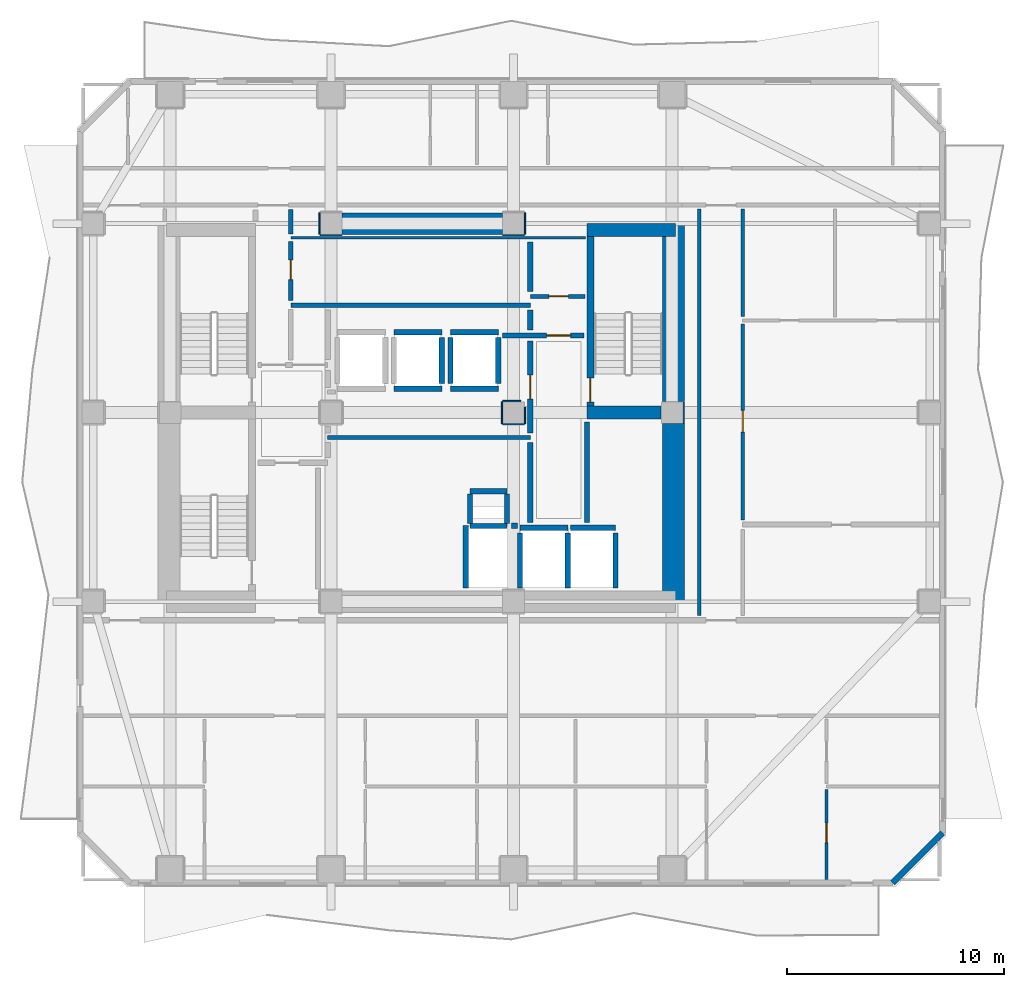
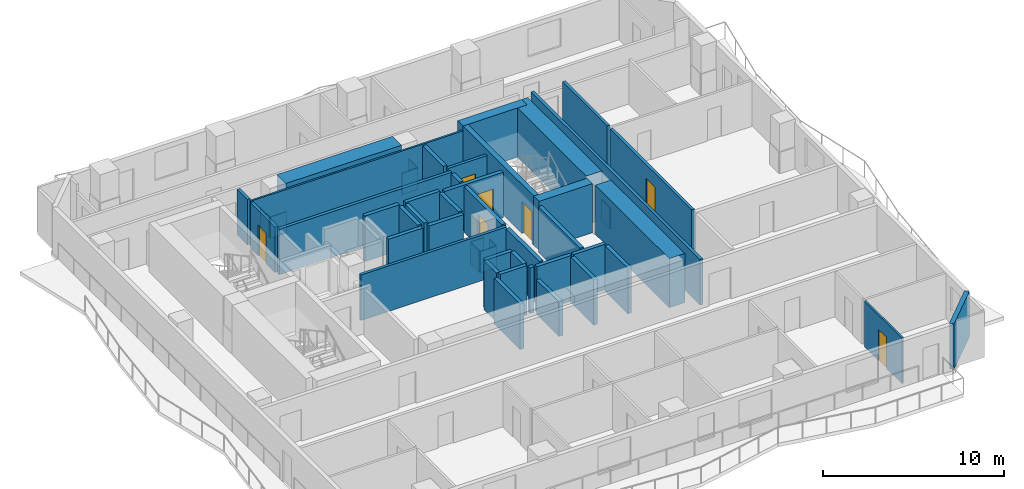
# One storey, part 4 of 9: 50 walls, 7 doors, 7 openings.
"""IFC4 building model written with IfcOpenShell, lengths in metres."""

from ifc_helpers import new_model, si_unit, direction, frame, frame_2d, origin, place, context, subcontext, project, spatial, rectangle, extrude, material, layer, layer_set, type_object, element, fill, save


model = new_model("IFC4")

# Units and contexts
model_context = context("Model", 3, precision=1e-05, world=origin(), true_north=direction((0.0, 1.0)))
body_context = subcontext(model_context, "Body", "Model", "MODEL_VIEW")
ifc_project = project(units=[si_unit("LENGTHUNIT", "METRE"), si_unit("AREAUNIT", "SQUARE_METRE"), si_unit("VOLUMEUNIT", "CUBIC_METRE"), si_unit("PLANEANGLEUNIT", "RADIAN"), si_unit("MASSUNIT", "GRAM", prefix="KILO")], contexts=[model_context])

# Site, building, storey
site_placement = place(None, origin())
site = spatial("IfcSite", under=ifc_project, at=site_placement, CompositionType="ELEMENT")
building_placement = place(site_placement, origin())
building = spatial("IfcBuilding", under=site, at=building_placement, Name="Solanera Arch Residences", CompositionType="ELEMENT")
storey_placement = place(building_placement, frame((0.0, 0.0, 132.639892578125)))
storey = spatial("IfcBuildingStorey", under=building, at=storey_placement, Name="L38", CompositionType="ELEMENT", Elevation=132.639892578125)

# Walls
ifc_material_1 = material(Name="Fire-Rated Gypsum Stud Partition", Category="gypsum")
ifc_layer_1 = layer(ifc_material_1, 0.06005859375)
ifc_layer_set_1 = layer_set([ifc_layer_1], Name="Fire-Rated Gypsum Stud Partition")
wall_type_1 = type_object("IfcWallType", Name="Column Acoustic Furring Wall 60", PredefinedType="PARTITIONING", material=ifc_layer_set_1)
for number, where, z_axis, x_axis, name in (
    (1, (20.300048828125, 38.867919921875, 0.0), (0.0, 0.0, 1.0), (1.0, 0.0, 0.0), "L38 Column Furring 3S"),
    (2, (20.26806640625, 38.89990234375, 0.0), (0.0, 0.0, 1.0), (0.0, 1.0, 0.0), "L38 Column Furring 3W"),
    (3, (28.699951171875, 38.867919921875, 0.0), (0.0, 0.0, 1.0), (1.0, 0.0, 0.0), "L38 Column Furring 4S"),
    (4, (29.73193359375, 38.89990234375, 0.0), (0.0, 0.0, 1.0), (0.0, 1.0, 0.0), "L38 Column Furring 4E"),
):
    element("IfcWall", number, at=place(storey_placement, frame(where, z_axis=z_axis, x_axis=x_axis)), inside=storey, type_object=wall_type_1, Name=name, PredefinedType="PARTITIONING", context=body_context, shape_type="SweptSolid", body=[
        extrude(rectangle(XDim=1.0, YDim=0.06005859375, at=frame_2d((0.5, 0.0))), origin(), (0.0, 0.0, 1.0), 1.4501953125),
    ])
wall_1_placement = place(storey_placement, frame((37.031982421875, 30.2099609375, 0.0), z_axis=(0.0, 0.0, 1.0), x_axis=(0.0, 1.0, 0.0)))
element("IfcWall", 5, at=wall_1_placement, inside=storey, type_object=wall_type_1, Name="L38 Column Furring 6E", PredefinedType="PARTITIONING", context=body_context, shape_type="SweptSolid", body=[
    extrude(rectangle(XDim=0.97998046875, YDim=0.06005859375, at=frame_2d((0.489990234375, 0.0))), origin(), (0.0, 0.0, 1.0), 1.4501953125),
])
wall_2_placement = place(storey_placement, frame((28.699951171875, 30.16796875, 0.0), z_axis=(0.0, 0.0, 1.0), x_axis=(1.0, 0.0, 0.0)))
element("IfcWall", 6, at=wall_2_placement, inside=storey, type_object=wall_type_1, Name="L38 Column Furring 8S", PredefinedType="PARTITIONING", context=body_context, shape_type="SweptSolid", body=[
    extrude(rectangle(XDim=1.0, YDim=0.06005859375, at=frame_2d((0.5, 0.0))), origin(), (0.0, 0.0, 1.0), 1.4501953125),
])
wall_3_placement = place(storey_placement, frame((28.699951171875, 31.23193359375, 0.0), z_axis=(0.0, 0.0, 1.0), x_axis=(1.0, 0.0, 0.0)))
element("IfcWall", 7, at=wall_3_placement, inside=storey, type_object=wall_type_1, Name="L38 Column Furring 8N", PredefinedType="PARTITIONING", context=body_context, shape_type="SweptSolid", body=[
    extrude(rectangle(XDim=0.8349609375, YDim=0.06005859375, at=frame_2d((0.41748046875, 0.0))), origin(), (0.0, 0.0, 1.0), 1.4501953125),
])
wall_4_placement = place(storey_placement, frame((28.66796875, 30.199951171875, 0.0), z_axis=(0.0, 0.0, 1.0), x_axis=(0.0, 1.0, 0.0)))
element("IfcWall", 8, at=wall_4_placement, inside=storey, type_object=wall_type_1, Name="L38 Column Furring 8W", PredefinedType="PARTITIONING", context=body_context, shape_type="SweptSolid", body=[
    extrude(rectangle(XDim=1.0, YDim=0.06005859375, at=frame_2d((0.5, 0.0))), origin(), (0.0, 0.0, 1.0), 1.4501953125),
])
wall_5_placement = place(storey_placement, frame((29.73193359375, 30.199951171875, 0.0), z_axis=(0.0, 0.0, 1.0), x_axis=(0.0, 1.0, 0.0)))
element("IfcWall", 9, at=wall_5_placement, inside=storey, type_object=wall_type_1, Name="L38 Column Furring 8E", PredefinedType="PARTITIONING", context=body_context, shape_type="SweptSolid", body=[
    extrude(rectangle(XDim=0.7470703125, YDim=0.06005859375, at=frame_2d((0.37353515625, 0.0))), origin(), (0.0, 0.0, 1.0), 1.4501953125),
])
ifc_material_2 = material(Name="Concrete C55/67 (f'c = 60 MPa)", Category="concrete")
ifc_layer_2 = layer(ifc_material_2, 1.0)
ifc_layer_set_2 = layer_set([ifc_layer_2], Name="Concrete C55/67 (f'c = 60 MPa)")
wall_type_2 = type_object("IfcWallType", Name="Core Shear Wall CW-1000", PredefinedType="SHEAR", material=ifc_layer_set_2)
wall_6_placement = place(storey_placement, frame((36.56005859375, 22.0, 0.0), z_axis=(0.0, 0.0, 1.0), x_axis=(0.0, 1.0, 0.0)))
element("IfcWall", 10, at=wall_6_placement, inside=storey, type_object=wall_type_2, Name="L38 East Core South Shear Wall", PredefinedType="SHEAR", context=body_context, shape_type="SweptSolid", body=[
    extrude(rectangle(XDim=8.195068359375, YDim=1.0, at=frame_2d((4.09765625, 0.0))), origin(), (0.0, 0.0, 1.0), 3.320068359375),
])
wall_7_placement = place(storey_placement, frame((36.56005859375, 31.205078125, 0.0), z_axis=(0.0, 0.0, 1.0), x_axis=(0.0, 1.0, 0.0)))
element("IfcWall", 11, at=wall_7_placement, inside=storey, type_object=wall_type_2, Name="L38 East Core North Shear Wall", PredefinedType="SHEAR", context=body_context, shape_type="SweptSolid", body=[
    extrude(rectangle(XDim=8.19482421875, YDim=1.0, at=frame_2d((4.097412109375, 0.0))), origin(), (0.0, 0.0, 1.0), 3.320068359375),
])
wall_8_placement = place(storey_placement, frame((21.304931640625, 39.39990234375, 0.0), z_axis=(0.0, 0.0, 1.0), x_axis=(1.0, 0.0, 0.0)))
element("IfcWall", 12, at=wall_8_placement, inside=storey, type_object=wall_type_2, Name="L38 Central North Core Shear Wall", PredefinedType="SHEAR", context=body_context, shape_type="SweptSolid", body=[
    extrude(rectangle(XDim=7.39013671875, YDim=1.0, at=frame_2d((3.695068359375, 0.0))), origin(), (0.0, 0.0, 1.0), 3.320068359375),
])

# Wall, opening, door
ifc_material_3 = material(Name="Concrete C40/50 (f'c = 45 MPa)", Category="concrete")
ifc_layer_3 = layer(ifc_material_3, 0.320068359375)
ifc_layer_set_3 = layer_set([ifc_layer_3], Name="Concrete C40/50 (f'c = 45 MPa)")
wall_type_3 = type_object("IfcWallType", Name="Core Shear Wall CW-320", PredefinedType="SHEAR", material=ifc_layer_set_3)
wall_9_placement = place(storey_placement, frame((32.739990234375, 31.0, 0.0), z_axis=(0.0, 0.0, 1.0), x_axis=(0.0, 1.0, 0.0)))
wall_9 = element("IfcWall", 13, at=wall_9_placement, inside=storey, type_object=wall_type_3, Name="L38 Stair ST-T2 West Shear Wall", PredefinedType="SHEAR", context=body_context, shape_type="SweptSolid", body=[
    extrude(rectangle(XDim=7.800048828125, YDim=0.320068359375, at=frame_2d((3.89990234375, 0.0))), origin(), (0.0, 0.0, 1.0), 3.320068359375),
])
opening_1_placement = place(wall_9_placement, frame((0.18994140625, 0.0, 0.0)))
opening_1 = element("IfcOpeningElement", 14, at=opening_1_placement, cuts=wall_9, Name="Opening DF-01", PredefinedType="OPENING", context=body_context, shape_type="SweptSolid", body=[
    extrude(rectangle(XDim=1.10009765625, YDim=2.14990234375, at=frame_2d((0.550048828125, 1.074951171875))), frame((0.0, 0.169921875, 0.0), z_axis=(0.0, -1.0, 0.0), x_axis=(1.0, 0.0, 0.0)), (0.0, 0.0, 1.0), 0.3401),
])
ifc_material_4 = material(Name="Fire-Rated Architectural Hardwood", Category="wood")
door_type_1 = type_object("IfcDoorType", Name="Stair Exit Fire Door DF-01", OperationType="NOTDEFINED", PredefinedType="DOOR", material=ifc_material_4)
door_1_placement = place(opening_1_placement, origin())
door_1 = element("IfcDoor", 15, at=door_1_placement, inside=storey, type_object=door_type_1, Name="DR-L38-STAIR-ST-T2", OperationType="SINGLE_SWING_LEFT", OverallHeight=2.14990234375, OverallWidth=1.10009765625, PredefinedType="DOOR", context=body_context, shape_type="SweptSolid", body=[
    extrude(rectangle(XDim=1.10009765625, YDim=2.14990234375, at=frame_2d((0.550048828125, 1.074951171875))), frame((0.0, 0.02490234375, 0.0), z_axis=(0.0, -1.0, 0.0), x_axis=(1.0, 0.0, 0.0)), (0.0, 0.0, 1.0), 0.050048828125),
])
fill(opening_1, door_1)

# Walls
ifc_material_5 = material(Name="Concrete C40/50 (f'c = 45 MPa)", Category="concrete")
ifc_layer_4 = layer(ifc_material_5, 0.60009765625)
ifc_layer_set_4 = layer_set([ifc_layer_4], Name="Concrete C40/50 (f'c = 45 MPa)")
wall_type_4 = type_object("IfcWallType", Name="Core Shear Wall CW-600", PredefinedType="SHEAR", material=ifc_layer_set_4)
wall_10_placement = place(storey_placement, frame((32.580078125, 39.10009765625, 0.0), z_axis=(0.0, 0.0, 1.0), x_axis=(1.0, 0.0, 0.0)))
element("IfcWall", 16, at=wall_10_placement, inside=storey, type_object=wall_type_4, Name="L38 North-East Core Shear Wall", PredefinedType="SHEAR", context=body_context, shape_type="SweptSolid", body=[
    extrude(rectangle(XDim=4.079833984375, YDim=0.60009765625, at=frame_2d((2.0400390625, 0.0))), origin(), (0.0, 0.0, 1.0), 3.320068359375),
])
wall_11_placement = place(storey_placement, frame((32.580078125, 30.699951171875, 0.0), z_axis=(0.0, 0.0, 1.0), x_axis=(1.0, 0.0, 0.0)))
element("IfcWall", 17, at=wall_11_placement, inside=storey, type_object=wall_type_4, Name="L38 East Stair Far-Landing Shear Wall", PredefinedType="SHEAR", context=body_context, shape_type="SweptSolid", body=[
    extrude(rectangle(XDim=3.4150390625, YDim=0.60009765625, at=frame_2d((1.70751953125, 0.0))), origin(), (0.0, 0.0, 1.0), 3.320068359375),
])
ifc_material_6 = material(Name="Autoclaved Aerated Concrete Blockwork", Category="masonry")
ifc_layer_5 = layer(ifc_material_6, 0.179931640625)
ifc_layer_set_5 = layer_set([ifc_layer_5], Name="Autoclaved Aerated Concrete Blockwork")
wall_type_5 = type_object("IfcWallType", Name="Corridor Fire Partition 180", PredefinedType="PARTITIONING", material=ifc_layer_set_5)
wall_12_placement = place(storey_placement, frame((20.64990234375, 29.550048828125, 0.0), z_axis=(0.0, 0.0, 1.0), x_axis=(1.0, 0.0, 0.0)))
element("IfcWall", 18, at=wall_12_placement, inside=storey, type_object=wall_type_5, Name="L38 Interior Partition H9", PredefinedType="PARTITIONING", context=body_context, shape_type="SweptSolid", body=[
    extrude(rectangle(XDim=9.3251953125, YDim=0.179931640625, at=frame_2d((4.66259765625, 0.0))), origin(), (0.0, 0.0, 1.0), 3.080078125),
])

# Wall, opening, door
wall_13_placement = place(storey_placement, frame((29.97509765625, 36.050048828125, 0.0), z_axis=(0.0, 0.0, 1.0), x_axis=(1.0, 0.0, 0.0)))
wall_13 = element("IfcWall", 19, at=wall_13_placement, inside=storey, type_object=wall_type_5, Name="L38 Interior Partition H11", PredefinedType="PARTITIONING", context=body_context, shape_type="SweptSolid", body=[
    extrude(rectangle(XDim=2.5048828125, YDim=0.179931640625, at=frame_2d((1.25244140625, 0.0))), origin(), (0.0, 0.0, 1.0), 3.080078125),
])
opening_2_placement = place(wall_13_placement, frame((0.85205078125, 0.0, 0.0)))
opening_2 = element("IfcOpeningElement", 20, at=opening_2_placement, cuts=wall_13, Name="Opening DI-02", PredefinedType="OPENING", context=body_context, shape_type="SweptSolid", body=[
    extrude(rectangle(XDim=0.89990234375, YDim=2.10009765625, at=frame_2d((0.449951171875, 1.050048828125))), frame((0.0, 0.10009765625, 0.0), z_axis=(0.0, -1.0, 0.0), x_axis=(1.0, 0.0, 0.0)), (0.0, 0.0, 1.0), 0.1999),
])
ifc_material_7 = material(Name="Fire-Rated Architectural Hardwood", Category="wood")
door_type_2 = type_object("IfcDoorType", Name="Suite Room Swing Door DI-02", OperationType="NOTDEFINED", PredefinedType="DOOR", material=ifc_material_7)
door_2_placement = place(opening_2_placement, origin())
door_2 = element("IfcDoor", 21, at=door_2_placement, inside=storey, type_object=door_type_2, Name="DR-L38-IN-015", OperationType="SINGLE_SWING_RIGHT", OverallHeight=2.10009765625, OverallWidth=0.89990234375, PredefinedType="DOOR", context=body_context, shape_type="SweptSolid", body=[
    extrude(rectangle(XDim=0.89990234375, YDim=2.10009765625, at=frame_2d((0.449951171875, 1.050048828125))), frame((0.0, 0.02490234375, 0.0), z_axis=(0.0, -1.0, 0.0), x_axis=(1.0, 0.0, 0.0)), (0.0, 0.0, 1.0), 0.050048828125),
])
fill(opening_2, door_2)

# Wall
wall_14_placement = place(storey_placement, frame((37.75, 21.367919921875, 0.0), z_axis=(0.0, 0.0, 1.0), x_axis=(0.0, 1.0, 0.0)))
element("IfcWall", 22, at=wall_14_placement, inside=storey, type_object=wall_type_5, Name="L38 Interior Partition V10", PredefinedType="PARTITIONING", context=body_context, shape_type="SweptSolid", body=[
    extrude(rectangle(XDim=18.694091796875, YDim=0.179931640625, at=frame_2d((9.34716796875, 0.0))), origin(), (0.0, 0.0, 1.0), 3.080078125),
])

# Wall, opening, door
wall_15_placement = place(storey_placement, frame((39.75, 25.76806640625, 0.0), z_axis=(0.0, 0.0, 1.0), x_axis=(0.0, 1.0, 0.0)))
wall_15 = element("IfcWall", 23, at=wall_15_placement, inside=storey, type_object=wall_type_5, Name="L38 Interior Partition V11 2", PredefinedType="PARTITIONING", context=body_context, shape_type="SweptSolid", body=[
    extrude(rectangle(XDim=9.013916015625, YDim=0.179931640625, at=frame_2d((4.5068359375, 0.0))), origin(), (0.0, 0.0, 1.0), 3.080078125),
])
opening_3_placement = place(wall_15_placement, frame((4.041015625, 0.0, 0.0)))
opening_3 = element("IfcOpeningElement", 24, at=opening_3_placement, cuts=wall_15, Name="Opening DI-01", PredefinedType="OPENING", context=body_context, shape_type="SweptSolid", body=[
    extrude(rectangle(XDim=1.0, YDim=2.14990234375, at=frame_2d((0.5, 1.074951171875))), frame((0.0, 0.10009765625, 0.0), z_axis=(0.0, -1.0, 0.0), x_axis=(1.0, 0.0, 0.0)), (0.0, 0.0, 1.0), 0.1999),
])
ifc_material_8 = material(Name="Fire-Rated Architectural Hardwood", Category="wood")
door_type_3 = type_object("IfcDoorType", Name="Unit Entrance Fire Door DI-01", OperationType="NOTDEFINED", PredefinedType="DOOR", material=ifc_material_8)
door_3_placement = place(opening_3_placement, origin())
door_3 = element("IfcDoor", 25, at=door_3_placement, inside=storey, type_object=door_type_3, Name="DR-L38-IN-035", OperationType="SINGLE_SWING_RIGHT", OverallHeight=2.14990234375, OverallWidth=1.0, PredefinedType="DOOR", context=body_context, shape_type="SweptSolid", body=[
    extrude(rectangle(XDim=1.0, YDim=2.14990234375, at=frame_2d((0.5, 1.074951171875))), frame((0.0, 0.02490234375, 0.0), z_axis=(0.0, -1.0, 0.0), x_axis=(1.0, 0.0, 0.0)), (0.0, 0.0, 1.0), 0.050048828125),
])
fill(opening_3, door_3)

# Walls
wall_16_placement = place(storey_placement, frame((39.75, 35.117919921875, 0.0), z_axis=(0.0, 0.0, 1.0), x_axis=(0.0, 1.0, 0.0)))
element("IfcWall", 26, at=wall_16_placement, inside=storey, type_object=wall_type_5, Name="L38 Interior Partition V11 3", PredefinedType="PARTITIONING", context=body_context, shape_type="SweptSolid", body=[
    extrude(rectangle(XDim=4.944091796875, YDim=0.179931640625, at=frame_2d((2.47216796875, 0.0))), origin(), (0.0, 0.0, 1.0), 3.080078125),
])
ifc_material_9 = material(Name="Precast Concrete C35/45", Category="concrete")
ifc_layer_6 = layer(ifc_material_9, 0.280029296875)
ifc_layer_set_6 = layer_set([ifc_layer_6], Name="Precast Concrete C35/45")
wall_type_6 = type_object("IfcWallType", Name="Exterior Wall Precast Masonry-Frame 280", PredefinedType="STANDARD", material=ifc_layer_set_6)
wall_17_placement = place(storey_placement, frame((48.945068359375, 11.35498046875, 0.0), z_axis=(0.0, 0.0, 1.0), x_axis=(-0.707106781187, -0.707106781187, 0.0)))
element("IfcWall", 27, at=wall_17_placement, inside=storey, type_object=wall_type_6, Name="L38 Tower Exterior Precast Masonry-Frame Wall CH5", PredefinedType="STANDARD", context=body_context, shape_type="SweptSolid", body=[
    extrude(rectangle(XDim=3.252685546875, YDim=0.280029296875, at=frame_2d((1.62646484375, 0.0))), origin(), (0.0, 0.0, 1.0), 3.080078125),
])
ifc_material_10 = material(Name="Autoclaved Aerated Concrete Blockwork", Category="masonry")
ifc_layer_7 = layer(ifc_material_10, 0.199951171875)
ifc_layer_set_7 = layer_set([ifc_layer_7], Name="Autoclaved Aerated Concrete Blockwork")
wall_type_7 = type_object("IfcWallType", Name="Party Wall Acoustic 200", PredefinedType="PARTITIONING", material=ifc_layer_set_7)
wall_18_placement = place(storey_placement, frame((18.949951171875, 35.64990234375, 0.0), z_axis=(0.0, 0.0, 1.0), x_axis=(1.0, 0.0, 0.0)))
element("IfcWall", 28, at=wall_18_placement, inside=storey, type_object=wall_type_7, Name="L38 Interior Partition H7", PredefinedType="PARTITIONING", context=body_context, shape_type="SweptSolid", body=[
    extrude(rectangle(XDim=11.025146484375, YDim=0.199951171875, at=frame_2d((5.5126953125, 0.0))), origin(), (0.0, 0.0, 1.0), 3.080078125),
])

# Wall, opening, door
wall_19_placement = place(storey_placement, frame((18.949951171875, 35.85791015625, 0.0), z_axis=(0.0, 0.0, 1.0), x_axis=(0.0, 1.0, 0.0)))
wall_19 = element("IfcWall", 29, at=wall_19_placement, inside=storey, type_object=wall_type_7, Name="L38 Interior Partition V6 2", PredefinedType="PARTITIONING", context=body_context, shape_type="SweptSolid", body=[
    extrude(rectangle(XDim=2.72412109375, YDim=0.199951171875, at=frame_2d((1.362060546875, 0.0))), origin(), (0.0, 0.0, 1.0), 3.080078125),
])
opening_4_placement = place(wall_19_placement, frame((0.967041015625, 0.0, 0.0)))
opening_4 = element("IfcOpeningElement", 30, at=opening_4_placement, cuts=wall_19, Name="Opening DI-02", PredefinedType="OPENING", context=body_context, shape_type="SweptSolid", body=[
    extrude(rectangle(XDim=0.89990234375, YDim=2.10009765625, at=frame_2d((0.449951171875, 1.050048828125))), frame((0.0, 0.110107421875, 0.0), z_axis=(0.0, -1.0, 0.0), x_axis=(1.0, 0.0, 0.0)), (0.0, 0.0, 1.0), 0.22),
])
door_4_placement = place(opening_4_placement, origin())
door_4 = element("IfcDoor", 31, at=door_4_placement, inside=storey, type_object=door_type_2, Name="DR-L38-IN-016", OperationType="SINGLE_SWING_LEFT", OverallHeight=2.10009765625, OverallWidth=0.89990234375, PredefinedType="DOOR", context=body_context, shape_type="SweptSolid", body=[
    extrude(rectangle(XDim=0.89990234375, YDim=2.10009765625, at=frame_2d((0.449951171875, 1.050048828125))), frame((0.0, 0.02490234375, 0.0), z_axis=(0.0, -1.0, 0.0), x_axis=(1.0, 0.0, 0.0)), (0.0, 0.0, 1.0), 0.050048828125),
])
fill(opening_4, door_4)

# Walls
wall_20_placement = place(storey_placement, frame((18.949951171875, 38.91796875, 0.0), z_axis=(0.0, 0.0, 1.0), x_axis=(0.0, 1.0, 0.0)))
element("IfcWall", 32, at=wall_20_placement, inside=storey, type_object=wall_type_7, Name="L38 Interior Partition V6 3", PredefinedType="PARTITIONING", context=body_context, shape_type="SweptSolid", body=[
    extrude(rectangle(XDim=1.134033203125, YDim=0.199951171875, at=frame_2d((0.56689453125, 0.0))), origin(), (0.0, 0.0, 1.0), 3.080078125),
])
ifc_material_11 = material(Name="Concrete C40/50 (f'c = 45 MPa)", Category="concrete")
ifc_layer_8 = layer(ifc_material_11, 0.239990234375)
ifc_layer_set_8 = layer_set([ifc_layer_8], Name="Concrete C40/50 (f'c = 45 MPa)")
wall_type_8 = type_object("IfcWallType", Name="Ramp Bearing Shear Wall RW-240", PredefinedType="SHEAR", material=ifc_layer_set_8)
for number, where, z_axis, x_axis, name in (
    (33, (27.199951171875, 25.47998046875, 0.0), (0.0, 0.0, 1.0), (1.0, 0.0, 0.0), "L38 Core MEP Riser South Shaft Wall"),
    (34, (27.199951171875, 27.080078125, 0.0), (0.0, 0.0, 1.0), (1.0, 0.0, 0.0), "L38 Core MEP Riser North Shaft Wall"),
):
    element("IfcWall", number, at=place(storey_placement, frame(where, z_axis=z_axis, x_axis=x_axis)), inside=storey, type_object=wall_type_8, Name=name, PredefinedType="SHEAR", context=body_context, shape_type="SweptSolid", body=[
        extrude(rectangle(XDim=1.699951171875, YDim=0.239990234375, at=frame_2d((0.85009765625, 0.0))), origin(), (0.0, 0.0, 1.0), 3.320068359375),
    ])
for number, where, z_axis, x_axis, name in (
    (35, (27.199951171875, 25.60009765625, 0.0), (0.0, 0.0, 1.0), (0.0, 1.0, 0.0), "L38 Core MEP Riser West Shaft Wall"),
    (36, (28.89990234375, 25.60009765625, 0.0), (0.0, 0.0, 1.0), (0.0, 1.0, 0.0), "L38 Core MEP Riser East Shaft Wall"),
):
    element("IfcWall", number, at=place(storey_placement, frame(where, z_axis=z_axis, x_axis=x_axis)), inside=storey, type_object=wall_type_8, Name=name, PredefinedType="SHEAR", context=body_context, shape_type="SweptSolid", body=[
        extrude(rectangle(XDim=1.35986328125, YDim=0.239990234375, at=frame_2d((0.679931640625, 0.0))), origin(), (0.0, 0.0, 1.0), 3.320068359375),
    ])
ifc_material_12 = material(Name="Autoclaved Aerated Concrete Blockwork", Category="masonry")
ifc_layer_9 = layer(ifc_material_12, 0.239990234375)
ifc_layer_set_9 = layer_set([ifc_layer_9], Name="Autoclaved Aerated Concrete Blockwork")
wall_type_9 = type_object("IfcWallType", Name="Shaft Wall Fire-Rated 240", PredefinedType="PARTITIONING", material=ifc_layer_set_9)
for number, where, z_axis, x_axis, name in (
    (37, (23.699951171875, 31.800048828125, 0.0), (0.0, 0.0, 1.0), (1.0, 0.0, 0.0), "L38 Lift PL-M2 Hoistway Wall S"),
    (38, (23.699951171875, 34.39990234375, 0.0), (0.0, 0.0, 1.0), (1.0, 0.0, 0.0), "L38 Lift PL-M2 Hoistway Wall N"),
):
    element("IfcWall", number, at=place(storey_placement, frame(where, z_axis=z_axis, x_axis=x_axis)), inside=storey, type_object=wall_type_9, Name=name, PredefinedType="PARTITIONING", context=body_context, shape_type="SweptSolid", body=[
        extrude(rectangle(XDim=2.199951171875, YDim=0.239990234375, at=frame_2d((1.10009765625, 0.0))), origin(), (0.0, 0.0, 1.0), 3.080078125),
    ])
wall_21_placement = place(storey_placement, frame((25.89990234375, 32.048095703125, 0.0), z_axis=(0.0, 0.0, 1.0), x_axis=(0.0, 1.0, 0.0)))
element("IfcWall", 39, at=wall_21_placement, inside=storey, type_object=wall_type_9, Name="L38 Lift PL-M2 Hoistway Wall E", PredefinedType="PARTITIONING", context=body_context, shape_type="SweptSolid", body=[
    extrude(rectangle(XDim=2.10400390625, YDim=0.239990234375, at=frame_2d((1.052001953125, 0.0))), origin(), (0.0, 0.0, 1.0), 3.080078125),
])
for number, where, z_axis, x_axis, name in (
    (40, (26.300048828125, 31.800048828125, 0.0), (0.0, 0.0, 1.0), (1.0, 0.0, 0.0), "L38 Lift PL-M3 Hoistway Wall S"),
    (41, (26.300048828125, 34.39990234375, 0.0), (0.0, 0.0, 1.0), (1.0, 0.0, 0.0), "L38 Lift PL-M3 Hoistway Wall N"),
):
    element("IfcWall", number, at=place(storey_placement, frame(where, z_axis=z_axis, x_axis=x_axis)), inside=storey, type_object=wall_type_9, Name=name, PredefinedType="PARTITIONING", context=body_context, shape_type="SweptSolid", body=[
        extrude(rectangle(XDim=2.199951171875, YDim=0.239990234375, at=frame_2d((1.10009765625, 0.0))), origin(), (0.0, 0.0, 1.0), 3.080078125),
    ])
for number, where, z_axis, x_axis, name in (
    (42, (26.300048828125, 32.048095703125, 0.0), (0.0, 0.0, 1.0), (0.0, 1.0, 0.0), "L38 Lift PL-M3 Hoistway Wall W"),
    (43, (28.5, 32.048095703125, 0.0), (0.0, 0.0, 1.0), (0.0, 1.0, 0.0), "L38 Lift PL-M3 Hoistway Wall E"),
):
    element("IfcWall", number, at=place(storey_placement, frame(where, z_axis=z_axis, x_axis=x_axis)), inside=storey, type_object=wall_type_9, Name=name, PredefinedType="PARTITIONING", context=body_context, shape_type="SweptSolid", body=[
        extrude(rectangle(XDim=2.10400390625, YDim=0.239990234375, at=frame_2d((1.052001953125, 0.0))), origin(), (0.0, 0.0, 1.0), 3.080078125),
    ])
wall_22_placement = place(storey_placement, frame((29.5, 25.39990234375, 0.0), z_axis=(0.0, 0.0, 1.0), x_axis=(1.0, 0.0, 0.0)))
element("IfcWall", 44, at=wall_22_placement, inside=storey, type_object=wall_type_9, Name="L38 Lift FFL-1 Hoistway Wall N", PredefinedType="PARTITIONING", context=body_context, shape_type="SweptSolid", body=[
    extrude(rectangle(XDim=2.199951171875, YDim=0.239990234375, at=frame_2d((1.10009765625, 0.0))), origin(), (0.0, 0.0, 1.0), 3.080078125),
])
wall_23_placement = place(storey_placement, frame((29.5, 22.632080078125, 0.0), z_axis=(0.0, 0.0, 1.0), x_axis=(0.0, 1.0, 0.0)))
element("IfcWall", 45, at=wall_23_placement, inside=storey, type_object=wall_type_9, Name="L38 Lift FFL-1 Hoistway Wall W", PredefinedType="PARTITIONING", context=body_context, shape_type="SweptSolid", body=[
    extrude(rectangle(XDim=2.52001953125, YDim=0.239990234375, at=frame_2d((1.260009765625, 0.0))), origin(), (0.0, 0.0, 1.0), 2.315185546875),
])
wall_24_placement = place(storey_placement, frame((31.699951171875, 22.6298828125, 0.0), z_axis=(0.0, 0.0, 1.0), x_axis=(0.0, 1.0, 0.0)))
element("IfcWall", 46, at=wall_24_placement, inside=storey, type_object=wall_type_9, Name="L38 Lift FFL-1 Hoistway Wall E", PredefinedType="PARTITIONING", context=body_context, shape_type="SweptSolid", body=[
    extrude(rectangle(XDim=2.522216796875, YDim=0.239990234375, at=frame_2d((1.26123046875, 0.0))), origin(), (0.0, 0.0, 1.0), 3.080078125),
])
wall_25_placement = place(storey_placement, frame((31.827880859375, 25.39990234375, 0.0), z_axis=(0.0, 0.0, 1.0), x_axis=(1.0, 0.0, 0.0)))
element("IfcWall", 47, at=wall_25_placement, inside=storey, type_object=wall_type_9, Name="L38 Lift FFL-2 Hoistway Wall N", PredefinedType="PARTITIONING", context=body_context, shape_type="SweptSolid", body=[
    extrude(rectangle(XDim=2.072021484375, YDim=0.239990234375, at=frame_2d((1.0361328125, 0.0))), origin(), (0.0, 0.0, 1.0), 3.080078125),
])
wall_26_placement = place(storey_placement, frame((33.89990234375, 22.6298828125, 0.0), z_axis=(0.0, 0.0, 1.0), x_axis=(0.0, 1.0, 0.0)))
element("IfcWall", 48, at=wall_26_placement, inside=storey, type_object=wall_type_9, Name="L38 Lift FFL-2 Hoistway Wall E", PredefinedType="PARTITIONING", context=body_context, shape_type="SweptSolid", body=[
    extrude(rectangle(XDim=2.522216796875, YDim=0.239990234375, at=frame_2d((1.26123046875, 0.0))), origin(), (0.0, 0.0, 1.0), 3.080078125),
])
wall_27_placement = place(storey_placement, frame((29.10302734375, 25.5, 0.0), z_axis=(0.0, 0.0, 1.0), x_axis=(1.0, 0.0, 0.0)))
element("IfcWall", 49, at=wall_27_placement, inside=storey, type_object=wall_type_9, Name="L38 Lift SVL-1 Hoistway Wall N", PredefinedType="PARTITIONING", context=body_context, shape_type="SweptSolid", body=[
    extrude(rectangle(XDim=0.26904296875, YDim=0.239990234375, at=frame_2d((0.134521484375, 0.0))), origin(), (0.0, 0.0, 1.0), 3.080078125),
])
wall_28_placement = place(storey_placement, frame((27.0, 22.6298828125, 0.0), z_axis=(0.0, 0.0, 1.0), x_axis=(0.0, 1.0, 0.0)))
element("IfcWall", 50, at=wall_28_placement, inside=storey, type_object=wall_type_9, Name="L38 Lift SVL-1 Hoistway Wall W", PredefinedType="PARTITIONING", context=body_context, shape_type="SweptSolid", body=[
    extrude(rectangle(XDim=2.8681640625, YDim=0.239990234375, at=frame_2d((1.43408203125, 0.0))), origin(), (0.0, 0.0, 1.0), 3.080078125),
])

# Wall, opening, door
wall_29_placement = place(storey_placement, frame((28.701904296875, 34.25, 0.0), z_axis=(0.0, 0.0, 1.0), x_axis=(1.0, 0.0, 0.0)))
wall_29 = element("IfcWall", 51, at=wall_29_placement, inside=storey, type_object=wall_type_9, Name="L38 Interior Partition H6", PredefinedType="PARTITIONING", context=body_context, shape_type="SweptSolid", body=[
    extrude(rectangle(XDim=3.748046875, YDim=0.239990234375, at=frame_2d((1.8740234375, 0.0))), origin(), (0.0, 0.0, 1.0), 3.080078125),
])
opening_5_placement = place(wall_29_placement, frame((2.02490234375, 0.0, 0.0)))
opening_5 = element("IfcOpeningElement", 52, at=opening_5_placement, cuts=wall_29, Name="Opening DF-02", PredefinedType="OPENING", context=body_context, shape_type="SweptSolid", body=[
    extrude(rectangle(XDim=1.10009765625, YDim=2.14990234375, at=frame_2d((0.550048828125, 1.074951171875))), frame((0.0, 0.1298828125, 0.0), z_axis=(0.0, -1.0, 0.0), x_axis=(1.0, 0.0, 0.0)), (0.0, 0.0, 1.0), 0.26),
])
ifc_material_13 = material(Name="Fire-Rated Architectural Hardwood", Category="wood")
door_type_4 = type_object("IfcDoorType", Name="Firefighting Lobby Fire Door DF-02", OperationType="NOTDEFINED", PredefinedType="DOOR", material=ifc_material_13)
door_5_placement = place(opening_5_placement, origin())
door_5 = element("IfcDoor", 53, at=door_5_placement, inside=storey, type_object=door_type_4, Name="DR-L38-IN-007", OperationType="SINGLE_SWING_RIGHT", OverallHeight=2.14990234375, OverallWidth=1.10009765625, PredefinedType="DOOR", context=body_context, shape_type="SweptSolid", body=[
    extrude(rectangle(XDim=1.10009765625, YDim=2.14990234375, at=frame_2d((0.550048828125, 1.074951171875))), frame((0.0, 0.02490234375, 0.0), z_axis=(0.0, -1.0, 0.0), x_axis=(1.0, 0.0, 0.0)), (0.0, 0.0, 1.0), 0.050048828125),
])
fill(opening_5, door_5)

# Wall
wall_30_placement = place(storey_placement, frame((29.97509765625, 25.64794921875, 0.0), z_axis=(0.0, 0.0, 1.0), x_axis=(0.0, 1.0, 0.0)))
element("IfcWall", 54, at=wall_30_placement, inside=storey, type_object=wall_type_9, Name="L38 Interior Partition V4 1", PredefinedType="PARTITIONING", context=body_context, shape_type="SweptSolid", body=[
    extrude(rectangle(XDim=3.68408203125, YDim=0.239990234375, at=frame_2d((1.842041015625, 0.0))), origin(), (0.0, 0.0, 1.0), 3.080078125),
])

# Wall, opening, door
wall_31_placement = place(storey_placement, frame((29.97509765625, 29.76806640625, 0.0), z_axis=(0.0, 0.0, 1.0), x_axis=(0.0, 1.0, 0.0)))
wall_31 = element("IfcWall", 55, at=wall_31_placement, inside=storey, type_object=wall_type_9, Name="L38 Interior Partition V4 2", PredefinedType="PARTITIONING", context=body_context, shape_type="SweptSolid", body=[
    extrude(rectangle(XDim=4.23388671875, YDim=0.239990234375, at=frame_2d((2.116943359375, 0.0))), origin(), (0.0, 0.0, 1.0), 3.080078125),
])
opening_6_placement = place(wall_31_placement, frame((1.556884765625, 0.0, 0.0)))
opening_6 = element("IfcOpeningElement", 56, at=opening_6_placement, cuts=wall_31, Name="Opening DF-02", PredefinedType="OPENING", context=body_context, shape_type="SweptSolid", body=[
    extrude(rectangle(XDim=1.10009765625, YDim=2.14990234375, at=frame_2d((0.550048828125, 1.074951171875))), frame((0.0, 0.1298828125, 0.0), z_axis=(0.0, -1.0, 0.0), x_axis=(1.0, 0.0, 0.0)), (0.0, 0.0, 1.0), 0.26),
])
door_6_placement = place(opening_6_placement, origin())
door_6 = element("IfcDoor", 57, at=door_6_placement, inside=storey, type_object=door_type_4, Name="DR-L38-IN-006", OperationType="SINGLE_SWING_LEFT", OverallHeight=2.14990234375, OverallWidth=1.10009765625, PredefinedType="DOOR", context=body_context, shape_type="SweptSolid", body=[
    extrude(rectangle(XDim=1.10009765625, YDim=2.14990234375, at=frame_2d((0.550048828125, 1.074951171875))), frame((0.0, 0.02490234375, 0.0), z_axis=(0.0, -1.0, 0.0), x_axis=(1.0, 0.0, 0.0)), (0.0, 0.0, 1.0), 0.050048828125),
])
fill(opening_6, door_6)

# Walls
wall_32_placement = place(storey_placement, frame((29.97509765625, 34.498046875, 0.0), z_axis=(0.0, 0.0, 1.0), x_axis=(0.0, 1.0, 0.0)))
element("IfcWall", 58, at=wall_32_placement, inside=storey, type_object=wall_type_9, Name="L38 Interior Partition V4 3", PredefinedType="PARTITIONING", context=body_context, shape_type="SweptSolid", body=[
    extrude(rectangle(XDim=0.924072265625, YDim=0.239990234375, at=frame_2d((0.4619140625, 0.0))), origin(), (0.0, 0.0, 1.0), 3.080078125),
])
wall_33_placement = place(storey_placement, frame((29.97509765625, 36.26806640625, 0.0), z_axis=(0.0, 0.0, 1.0), x_axis=(0.0, 1.0, 0.0)))
element("IfcWall", 59, at=wall_33_placement, inside=storey, type_object=wall_type_9, Name="L38 Interior Partition V4 4", PredefinedType="PARTITIONING", context=body_context, shape_type="SweptSolid", body=[
    extrude(rectangle(XDim=2.2939453125, YDim=0.239990234375, at=frame_2d((1.14697265625, 0.0))), origin(), (0.0, 0.0, 1.0), 3.080078125),
])
wall_34_placement = place(storey_placement, frame((32.580078125, 25.64794921875, 0.0), z_axis=(0.0, 0.0, 1.0), x_axis=(0.0, 1.0, 0.0)))
element("IfcWall", 60, at=wall_34_placement, inside=storey, type_object=wall_type_9, Name="L38 Interior Partition V5", PredefinedType="PARTITIONING", context=body_context, shape_type="SweptSolid", body=[
    extrude(rectangle(XDim=4.6220703125, YDim=0.239990234375, at=frame_2d((2.31103515625, 0.0))), origin(), (0.0, 0.0, 1.0), 3.080078125),
])
ifc_material_14 = material(Name="Fire-Rated Gypsum Stud Partition", Category="gypsum")
ifc_layer_10 = layer(ifc_material_14, 0.1201171875)
ifc_layer_set_10 = layer_set([ifc_layer_10], Name="Fire-Rated Gypsum Stud Partition")
wall_type_10 = type_object("IfcWallType", Name="Unit Drywall Partition 120", PredefinedType="PARTITIONING", material=ifc_layer_set_10)
wall_35_placement = place(storey_placement, frame((18.949951171875, 38.75, 0.0), z_axis=(0.0, 0.0, 1.0), x_axis=(1.0, 0.0, 0.0)))
element("IfcWall", 61, at=wall_35_placement, inside=storey, type_object=wall_type_10, Name="L38 Interior Partition H20", PredefinedType="PARTITIONING", context=body_context, shape_type="SweptSolid", body=[
    extrude(rectangle(XDim=13.56005859375, YDim=0.1201171875, at=frame_2d((6.780029296875, 0.0))), origin(), (0.0, 0.0, 1.0), 3.080078125),
])

# Wall, opening, door
wall_36_placement = place(storey_placement, frame((43.60595703125, 9.20703125, 0.0), z_axis=(0.0, 0.0, 1.0), x_axis=(0.0, 1.0, 0.0)))
wall_36 = element("IfcWall", 62, at=wall_36_placement, inside=storey, type_object=wall_type_10, Name="L38 Interior Partition V23 1", PredefinedType="PARTITIONING", context=body_context, shape_type="SweptSolid", body=[
    extrude(rectangle(XDim=4.158935546875, YDim=0.1201171875, at=frame_2d((2.07958984375, 0.0))), origin(), (0.0, 0.0, 1.0), 3.080078125),
])
opening_7_placement = place(wall_36_placement, frame((1.7080078125, 0.0, 0.0)))
opening_7 = element("IfcOpeningElement", 63, at=opening_7_placement, cuts=wall_36, Name="Opening DI-03", PredefinedType="OPENING", context=body_context, shape_type="SweptSolid", body=[
    extrude(rectangle(XDim=0.89990234375, YDim=2.10009765625, at=frame_2d((0.449951171875, 1.050048828125))), frame((0.0, 0.070068359375, 0.0), z_axis=(0.0, -1.0, 0.0), x_axis=(1.0, 0.0, 0.0)), (0.0, 0.0, 1.0), 0.1401),
])
ifc_material_15 = material(Name="Fire-Rated Architectural Hardwood", Category="wood")
door_type_5 = type_object("IfcDoorType", Name="Bedroom Swing Door DI-03", OperationType="NOTDEFINED", PredefinedType="DOOR", material=ifc_material_15)
door_7_placement = place(opening_7_placement, origin())
door_7 = element("IfcDoor", 64, at=door_7_placement, inside=storey, type_object=door_type_5, Name="DR-L38-IN-028", OperationType="SINGLE_SWING_LEFT", OverallHeight=2.10009765625, OverallWidth=0.89990234375, PredefinedType="DOOR", context=body_context, shape_type="SweptSolid", body=[
    extrude(rectangle(XDim=0.89990234375, YDim=2.10009765625, at=frame_2d((0.449951171875, 1.050048828125))), frame((0.0, 0.02490234375, 0.0), z_axis=(0.0, -1.0, 0.0), x_axis=(1.0, 0.0, 0.0)), (0.0, 0.0, 1.0), 0.050048828125),
])
fill(opening_7, door_7)

save(model, "model.ifc")
